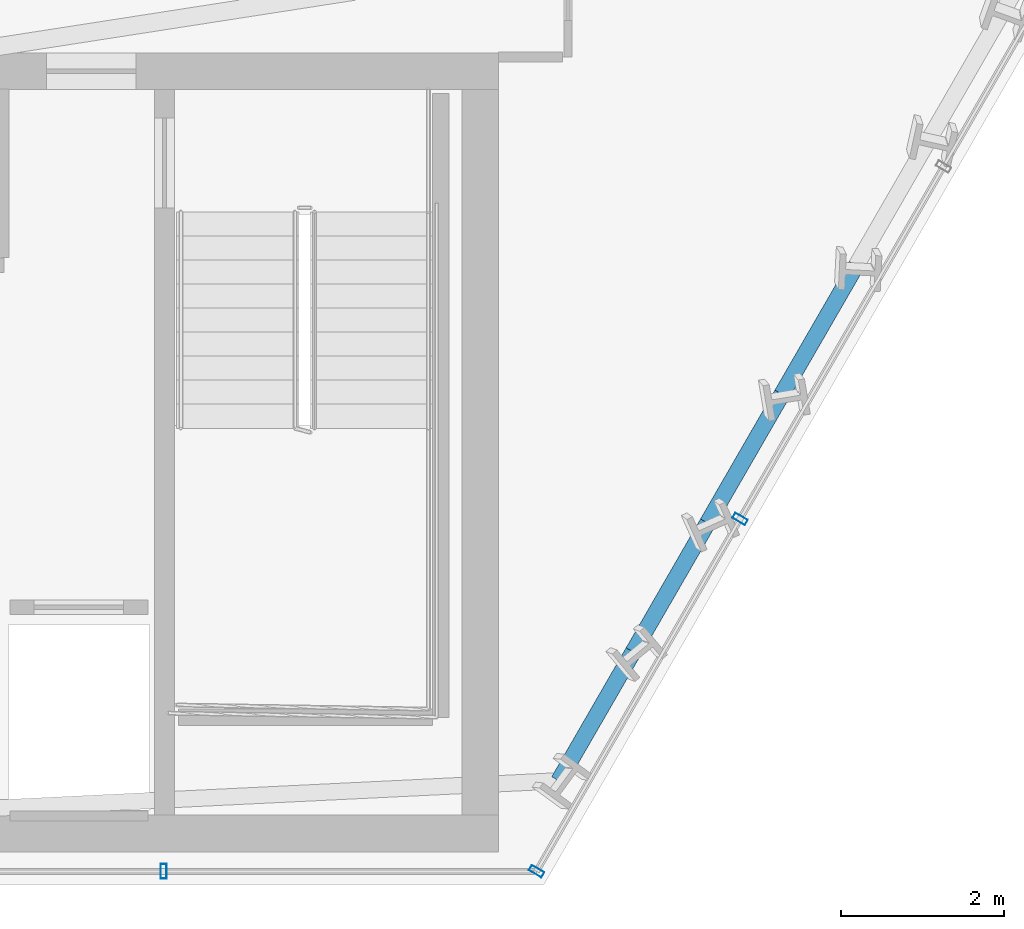
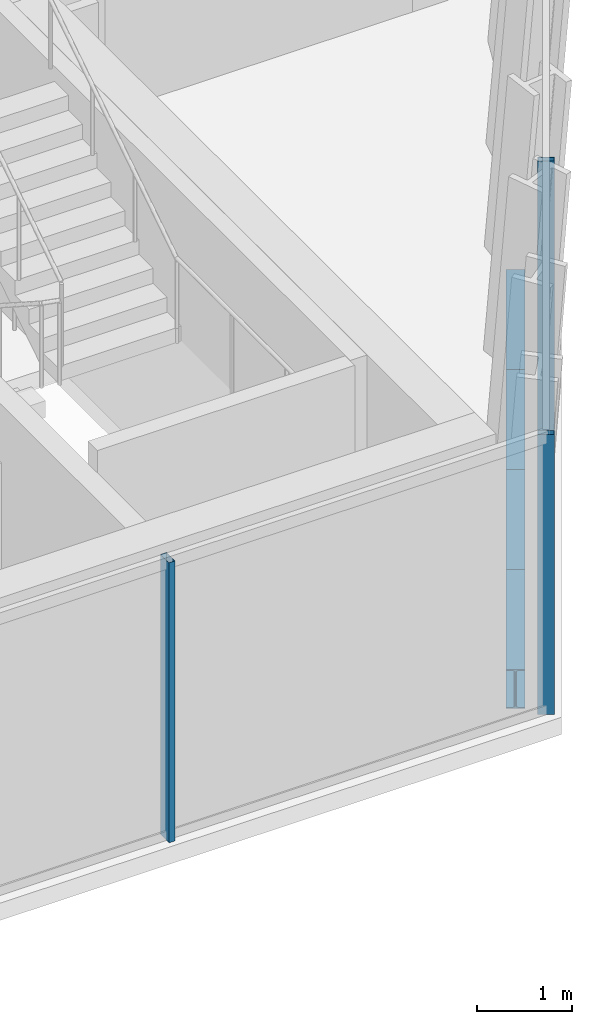
# One storey, part 16 of 32: 4 beams, 3 members, 2 elements without a shape of their own.
"""IFC4 building model written with IfcOpenShell, lengths in metres."""

from ifc_helpers import new_model, si_unit, direction, frame, origin, origin_2d, place, context, subcontext, project, spatial, hollow_rectangle, i_section, extrude, material, layer, layer_set, material_profile, profile_set, type_object, element, aggregate, save


model = new_model("IFC4")

# Units and contexts
model_context = context("Model", 3, precision=1e-05, world=origin(), true_north=direction((0.0, 1.0)))
body_context = subcontext(model_context, "Body", "Model", "MODEL_VIEW")
ifc_project = project(units=[si_unit("LENGTHUNIT", "METRE"), si_unit("AREAUNIT", "SQUARE_METRE"), si_unit("VOLUMEUNIT", "CUBIC_METRE"), si_unit("PLANEANGLEUNIT", "RADIAN"), si_unit("MASSUNIT", "GRAM", prefix="KILO")], contexts=[model_context])

# Site, building, storey
site_placement = place(None, origin())
site = spatial("IfcSite", under=ifc_project, at=site_placement, CompositionType="ELEMENT")
building_placement = place(site_placement, origin())
building = spatial("IfcBuilding", under=site, at=building_placement, Name="Ndaravel Arena Tower", CompositionType="ELEMENT")
storey_placement = place(building_placement, frame((0.0, 0.0, 77.800048828125)))
storey = spatial("IfcBuildingStorey", under=building, at=storey_placement, Name="L17", CompositionType="ELEMENT", Elevation=77.800048828125)

# Beams
ifc_material_1 = material(Name="Steel S355", Category="steel")
ifc_material_profile_1 = material_profile(ifc_material_1, i_section(OverallWidth=0.199951171875, OverallDepth=0.5, WebThickness=0.01025390625, FlangeThickness=0.01611328125, FilletRadius=0.02099609375, at=origin_2d()), Name="IPE 500")
ifc_profile_set_1 = profile_set([ifc_material_profile_1], Name="Steel S355")
beam_type = type_object("IfcBeamType", Name="BM-SPAN-IPE500", PredefinedType="SPANDREL", material=ifc_profile_set_1)
for number, where, z_axis, x_axis, name in (
    (1, (58.28662109375, 6.2705078125, -0.469970703125), (0.499965592563, 0.866045268016, 0.0), (-0.866045268016, 0.499965592563, 0.0), "L17 Perimeter Spandrel Beam SP-02"),
    (2, (59.19921875, 7.851318359375, -0.469970703125), (0.499965592563, 0.866045268016, 0.0), (-0.866045268016, 0.499965592563, 0.0), "L17 Perimeter Spandrel Beam SP-03"),
):
    element("IfcBeam", number, at=place(storey_placement, frame(where, z_axis=z_axis, x_axis=x_axis)), inside=storey, type_object=beam_type, Name=name, PredefinedType="SPANDREL", context=body_context, shape_type="SweptSolid", body=[
        extrude(i_section(OverallWidth=0.199951171875, OverallDepth=0.5, WebThickness=0.01025390625, FlangeThickness=0.01611328125, FilletRadius=0.02099609375, at=origin_2d()), origin(), (0.0, 0.0, 1.0), 1.825439453125),
    ])
beam_1_placement = place(storey_placement, frame((60.11181640625, 9.43212890625, -0.469970703125), z_axis=(0.500007989214, 0.866020791161, 0.0), x_axis=(-0.866020791161, 0.500007989214, 0.0)))
element("IfcBeam", 3, at=beam_1_placement, inside=storey, type_object=beam_type, Name="L17 Perimeter Spandrel Beam SP-04", PredefinedType="SPANDREL", context=body_context, shape_type="SweptSolid", body=[
    extrude(i_section(OverallWidth=0.199951171875, OverallDepth=0.5, WebThickness=0.01025390625, FlangeThickness=0.01611328125, FilletRadius=0.02099609375, at=origin_2d()), origin(), (0.0, 0.0, 1.0), 1.82568359375),
])
beam_2_placement = place(storey_placement, frame((61.024658203125, 11.01318359375, -0.469970703125), z_axis=(0.500065901226, 0.86598735235, 0.0), x_axis=(-0.86598735235, 0.500065901226, 0.0)))
element("IfcBeam", 4, at=beam_2_placement, inside=storey, type_object=beam_type, Name="L17 Perimeter Spandrel Beam SP-05", PredefinedType="SPANDREL", context=body_context, shape_type="SweptSolid", body=[
    extrude(i_section(OverallWidth=0.199951171875, OverallDepth=0.5, WebThickness=0.01025390625, FlangeThickness=0.01611328125, FilletRadius=0.02099609375, at=origin_2d()), origin(), (0.0, 0.0, 1.0), 1.825439453125),
])

# Curtain wall, member
ifc_material_2 = material(Name="Aluminium", Category="aluminium")
ifc_layer_1 = layer(ifc_material_2, 0.179931640625)
ifc_layer_set_1 = layer_set([ifc_layer_1], Name="Aluminium")
curtain_wall_type_1 = type_object("IfcCurtainWallType", Name="CW-SYS-03", PredefinedType="NOTDEFINED", material=ifc_layer_set_1)
curtain_wall_1_placement = place(storey_placement, origin())
curtain_wall_1 = element("IfcCurtainWall", 5, at=curtain_wall_1_placement, inside=storey, type_object=curtain_wall_type_1, Name="L17 Faceted Crystal Curtain Wall CW-L17-E01", PredefinedType="NOTDEFINED")
ifc_material_3 = material(Name="Aluminium", Category="aluminium")
ifc_material_profile_2 = material_profile(ifc_material_3, hollow_rectangle(XDim=0.074951171875, YDim=0.179931640625, WallThickness=0.00390625, at=origin_2d()), Name="CW MULLION 75x180x4")
ifc_profile_set_2 = profile_set([ifc_material_profile_2], Name="Aluminium")
member_type = type_object("IfcMemberType", Name="MEM-CW-MUL180", PredefinedType="MULLION", material=ifc_profile_set_2)
member_1_placement = place(storey_placement, frame((53.439208984375, 5.159912109375, 0.0), z_axis=(0.0, 0.0, 1.0), x_axis=(1.0, 0.0, 0.0)))
member_1 = element("IfcMember", 6, at=member_1_placement, type_object=member_type, Name="CW-L17-E01 Mullion 06", PredefinedType="MULLION", context=body_context, shape_type="SweptSolid", body=[
    extrude(hollow_rectangle(XDim=0.074951171875, YDim=0.179931640625, WallThickness=0.00390625, at=origin_2d()), origin(), (0.0, 0.0, 1.0), 3.579833984375),
])
aggregate(curtain_wall_1, [member_1])

# Curtain wall, members
ifc_material_4 = material(Name="Aluminium", Category="aluminium")
ifc_layer_2 = layer(ifc_material_4, 0.179931640625)
ifc_layer_set_2 = layer_set([ifc_layer_2], Name="Aluminium")
curtain_wall_type_2 = type_object("IfcCurtainWallType", Name="CW-SYS-01", PredefinedType="NOTDEFINED", material=ifc_layer_set_2)
curtain_wall_2_placement = place(storey_placement, origin())
curtain_wall_2 = element("IfcCurtainWall", 7, at=curtain_wall_2_placement, inside=storey, type_object=curtain_wall_type_2, Name="L17 Faceted Crystal Curtain Wall CW-L17-E02", PredefinedType="NOTDEFINED")
member_2_placement = place(storey_placement, frame((58.014892578125, 5.159912109375, 0.0), z_axis=(0.0, 0.0, 1.0), x_axis=(0.5, 0.866025403784, 0.0)))
member_2 = element("IfcMember", 8, at=member_2_placement, type_object=member_type, Name="CW-L17-E02 Mullion 00", PredefinedType="MULLION", context=body_context, shape_type="SweptSolid", body=[
    extrude(hollow_rectangle(XDim=0.074951171875, YDim=0.179931640625, WallThickness=0.00390625, at=origin_2d()), origin(), (0.0, 0.0, 1.0), 3.579833984375),
])
member_3_placement = place(storey_placement, frame((60.51025390625, 9.482421875, 0.0), z_axis=(0.0, 0.0, 1.0), x_axis=(0.5, 0.866025403784, 0.0)))
member_3 = element("IfcMember", 9, at=member_3_placement, type_object=member_type, Name="CW-L17-E02 Mullion 01", PredefinedType="MULLION", context=body_context, shape_type="SweptSolid", body=[
    extrude(hollow_rectangle(XDim=0.074951171875, YDim=0.179931640625, WallThickness=0.00390625, at=origin_2d()), origin(), (0.0, 0.0, 1.0), 3.579833984375),
])
aggregate(curtain_wall_2, [member_2, member_3])

save(model, "model.ifc")
